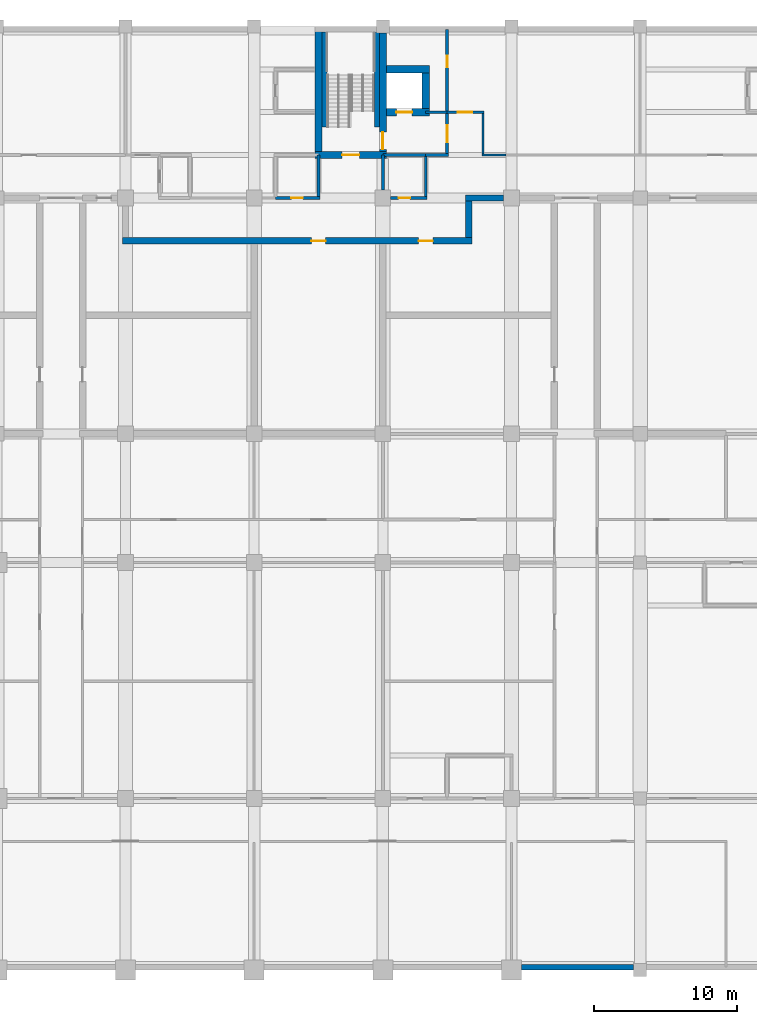
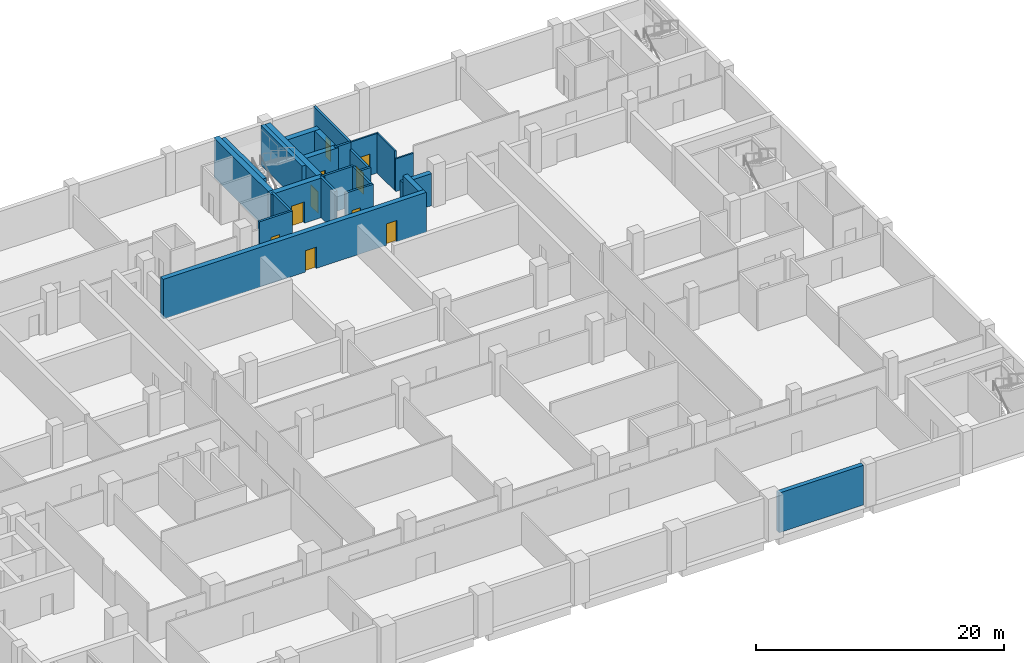
# One storey, part 9 of 16: 25 walls, 10 doors, 10 openings.
"""IFC4 building model written with IfcOpenShell, lengths in metres."""

from ifc_helpers import new_model, si_unit, direction, frame, frame_2d, origin, place, context, subcontext, project, spatial, rectangle, extrude, material, layer, layer_set, type_object, element, fill, save


model = new_model("IFC4")

# Units and contexts
model_context = context("Model", 3, precision=1e-05, world=origin(), true_north=direction((0.0, 1.0)))
body_context = subcontext(model_context, "Body", "Model", "MODEL_VIEW")
ifc_project = project(units=[si_unit("LENGTHUNIT", "METRE"), si_unit("AREAUNIT", "SQUARE_METRE"), si_unit("VOLUMEUNIT", "CUBIC_METRE"), si_unit("PLANEANGLEUNIT", "RADIAN"), si_unit("MASSUNIT", "GRAM", prefix="KILO")], contexts=[model_context])

# Site, building, storey
site_placement = place(None, origin())
site = spatial("IfcSite", under=ifc_project, at=site_placement, CompositionType="ELEMENT")
building_placement = place(site_placement, origin())
building = spatial("IfcBuilding", under=site, at=building_placement, Name="Aurelan Courthouse", CompositionType="ELEMENT")
storey_placement = place(building_placement, frame((0.0, 0.0, -4.199951171875)))
storey = spatial("IfcBuildingStorey", under=building, at=storey_placement, Name="B1", CompositionType="ELEMENT", Elevation=-4.199951171875)

# Wall, openings, doors
ifc_material_1 = material(Name="Reinforced concrete block", Category="concrete")
ifc_layer_1 = layer(ifc_material_1, 0.449951171875)
ifc_layer_set_1 = layer_set([ifc_layer_1], Name="Reinforced concrete block")
wall_type_1 = type_object("IfcWallType", Name="Archive fire wall 450 EI 60", PredefinedType="PARTITIONING", material=ifc_layer_set_1)
wall_1_placement = place(storey_placement, frame((35.77490234375, 51.0, 0.0), z_axis=(0.0, 0.0, 1.0), x_axis=(1.0, 0.0, 0.0)))
wall_1 = element("IfcWall", 1, at=wall_1_placement, inside=storey, type_object=wall_type_1, Name="Archive fire wall B1-057", PredefinedType="PARTITIONING", context=body_context, shape_type="SweptSolid", body=[
    extrude(rectangle(XDim=24.4501953125, YDim=0.449951171875, at=frame_2d((12.22509765625, 0.0))), origin(), (0.0, 0.0, 1.0), 3.89990234375),
])
opening_1_placement = place(wall_1_placement, frame((14.22509765625, 0.0, 0.0), z_axis=(0.0, 0.0, 1.0), x_axis=(-1.0, 0.0, 0.0)))
opening_1 = element("IfcOpeningElement", 2, at=opening_1_placement, cuts=wall_1, Name="Opening D-B1-036", PredefinedType="OPENING", context=body_context, shape_type="SweptSolid", body=[
    extrude(rectangle(XDim=1.0, YDim=2.10009765625, at=frame_2d((0.5, 1.050048828125))), frame((0.0, 0.23486328125, 0.0), z_axis=(0.0, -1.0, 0.0), x_axis=(1.0, 0.0, 0.0)), (0.0, 0.0, 1.0), 0.469970703125),
])
opening_2_placement = place(wall_1_placement, frame((21.72509765625, 0.0, 0.0), z_axis=(0.0, 0.0, 1.0), x_axis=(-1.0, 0.0, 0.0)))
opening_2 = element("IfcOpeningElement", 3, at=opening_2_placement, cuts=wall_1, Name="Opening D-B1-038", PredefinedType="OPENING", context=body_context, shape_type="SweptSolid", body=[
    extrude(rectangle(XDim=1.0, YDim=2.10009765625, at=frame_2d((0.5, 1.050048828125))), frame((0.0, 0.23486328125, 0.0), z_axis=(0.0, -1.0, 0.0), x_axis=(1.0, 0.0, 0.0)), (0.0, 0.0, 1.0), 0.469970703125),
])
ifc_material_2 = material(Name="Steel", Category="steel")
door_type_1 = type_object("IfcDoorType", Name="Single door 1000 x 2100 FD60", OperationType="SINGLE_SWING_LEFT", PredefinedType="DOOR", material=ifc_material_2)
door_1_placement = place(opening_1_placement, origin())
door_1 = element("IfcDoor", 4, at=door_1_placement, inside=storey, type_object=door_type_1, Name="Single door D-B1-036", OperationType="SINGLE_SWING_RIGHT", OverallHeight=2.10009765625, OverallWidth=1.0, PredefinedType="DOOR", context=body_context, shape_type="SweptSolid", body=[
    extrude(rectangle(XDim=1.0, YDim=2.10009765625, at=frame_2d((0.5, 1.050048828125))), frame((0.0, 0.02490234375, 0.0), z_axis=(0.0, -1.0, 0.0), x_axis=(1.0, 0.0, 0.0)), (0.0, 0.0, 1.0), 0.050048828125),
])
fill(opening_1, door_1)
door_2_placement = place(opening_2_placement, origin())
door_2 = element("IfcDoor", 5, at=door_2_placement, inside=storey, type_object=door_type_1, Name="Single door D-B1-038", OperationType="SINGLE_SWING_RIGHT", OverallHeight=2.10009765625, OverallWidth=1.0, PredefinedType="DOOR", context=body_context, shape_type="SweptSolid", body=[
    extrude(rectangle(XDim=1.0, YDim=2.10009765625, at=frame_2d((0.5, 1.050048828125))), frame((0.0, 0.02490234375, 0.0), z_axis=(0.0, -1.0, 0.0), x_axis=(1.0, 0.0, 0.0)), (0.0, 0.0, 1.0), 0.050048828125),
])
fill(opening_2, door_2)

# Walls
wall_2_placement = place(storey_placement, frame((59.77490234375, 54.0, 0.0), z_axis=(0.0, 0.0, 1.0), x_axis=(1.0, 0.0, 0.0)))
element("IfcWall", 6, at=wall_2_placement, inside=storey, type_object=wall_type_1, Name="Archive fire wall B1-069", PredefinedType="PARTITIONING", context=body_context, shape_type="SweptSolid", body=[
    extrude(rectangle(XDim=2.675048828125, YDim=0.449951171875, at=frame_2d((1.33740234375, 0.0))), origin(), (0.0, 0.0, 1.0), 3.14990234375),
])
wall_3_placement = place(storey_placement, frame((60.0, 51.22509765625, 0.0), z_axis=(0.0, 0.0, 1.0), x_axis=(0.0, 1.0, 0.0)))
element("IfcWall", 7, at=wall_3_placement, inside=storey, type_object=wall_type_1, Name="Archive fire wall B1-133", PredefinedType="PARTITIONING", context=body_context, shape_type="SweptSolid", body=[
    extrude(rectangle(XDim=2.5498046875, YDim=0.449951171875, at=frame_2d((1.27490234375, 0.0))), origin(), (0.0, 0.0, 1.0), 3.89990234375),
])
ifc_material_3 = material(Name="Gypsum board on metal studs")
ifc_layer_2 = layer(ifc_material_3, 0.14990234375)
ifc_layer_set_2 = layer_set([ifc_layer_2], Name="Gypsum board on metal studs")
wall_type_2 = type_object("IfcWallType", Name="Corridor partition 150 EI 60", PredefinedType="PARTITIONING", material=ifc_layer_set_2)
wall_4_placement = place(storey_placement, frame((60.925048828125, 57.0, 0.0), z_axis=(0.0, 0.0, 1.0), x_axis=(1.0, 0.0, 0.0)))
element("IfcWall", 8, at=wall_4_placement, inside=storey, type_object=wall_type_2, Name="Corridor partition B1-082", PredefinedType="PARTITIONING", context=body_context, shape_type="SweptSolid", body=[
    extrude(rectangle(XDim=1.675048828125, YDim=0.14990234375, at=frame_2d((0.83740234375, 0.0))), origin(), (0.0, 0.0, 1.0), 3.199951171875),
])

# Wall, opening, door
wall_5_placement = place(storey_placement, frame((58.5, 60.0, 0.0), z_axis=(0.0, 0.0, 1.0), x_axis=(1.0, 0.0, 0.0)))
wall_5 = element("IfcWall", 9, at=wall_5_placement, inside=storey, type_object=wall_type_2, Name="Corridor partition B1-088", PredefinedType="PARTITIONING", context=body_context, shape_type="SweptSolid", body=[
    extrude(rectangle(XDim=2.574951171875, YDim=0.14990234375, at=frame_2d((1.28759765625, 0.0))), origin(), (0.0, 0.0, 1.0), 3.89990234375),
])
opening_3_placement = place(wall_5_placement, frame((0.75, 0.0, 0.0)))
opening_3 = element("IfcOpeningElement", 10, at=opening_3_placement, cuts=wall_5, Name="Opening D-B1-029", PredefinedType="OPENING", context=body_context, shape_type="SweptSolid", body=[
    extrude(rectangle(XDim=1.0, YDim=2.10009765625, at=frame_2d((0.5, 1.050048828125))), frame((0.0, 0.0849609375, 0.0), z_axis=(0.0, -1.0, 0.0), x_axis=(1.0, 0.0, 0.0)), (0.0, 0.0, 1.0), 0.169921875),
])
door_3_placement = place(opening_3_placement, origin())
door_3 = element("IfcDoor", 11, at=door_3_placement, inside=storey, type_object=door_type_1, Name="Single door D-B1-029", OperationType="SINGLE_SWING_LEFT", OverallHeight=2.10009765625, OverallWidth=1.0, PredefinedType="DOOR", context=body_context, shape_type="SweptSolid", body=[
    extrude(rectangle(XDim=1.0, YDim=2.10009765625, at=frame_2d((0.5, 1.050048828125))), frame((0.0, 0.02490234375, 0.0), z_axis=(0.0, -1.0, 0.0), x_axis=(1.0, 0.0, 0.0)), (0.0, 0.0, 1.0), 0.050048828125),
])
fill(opening_3, door_3)

# Walls
wall_6_placement = place(storey_placement, frame((61.0, 57.074951171875, 0.0), z_axis=(0.0, 0.0, 1.0), x_axis=(0.0, 1.0, 0.0)))
element("IfcWall", 12, at=wall_6_placement, inside=storey, type_object=wall_type_2, Name="Corridor partition B1-134", PredefinedType="PARTITIONING", context=body_context, shape_type="SweptSolid", body=[
    extrude(rectangle(XDim=2.85009765625, YDim=0.14990234375, at=frame_2d((1.425048828125, 0.0))), origin(), (0.0, 0.0, 1.0), 3.89990234375),
])
ifc_material_4 = material(Name="Masonry block", Category="masonry")
ifc_layer_3 = layer(ifc_material_4, 0.199951171875)
ifc_layer_set_3 = layer_set([ifc_layer_3], Name="Masonry block")
wall_type_3 = type_object("IfcWallType", Name="Lift lobby wall 200 EI 60", PredefinedType="PARTITIONING", material=ifc_layer_set_3)
wall_7_placement = place(storey_placement, frame((57.0, 57.0, 0.0), z_axis=(0.0, 0.0, 1.0), x_axis=(1.0, 0.0, 0.0)))
element("IfcWall", 13, at=wall_7_placement, inside=storey, type_object=wall_type_3, Name="Lift lobby wall B1-081", PredefinedType="PARTITIONING", context=body_context, shape_type="SweptSolid", body=[
    extrude(rectangle(XDim=1.60009765625, YDim=0.199951171875, at=frame_2d((0.800048828125, 0.0))), origin(), (0.0, 0.0, 1.0), 3.199951171875),
])

# Wall, opening, door
wall_8_placement = place(storey_placement, frame((58.5, 57.10009765625, 0.0), z_axis=(0.0, 0.0, 1.0), x_axis=(0.0, 1.0, 0.0)))
wall_8 = element("IfcWall", 14, at=wall_8_placement, inside=storey, type_object=wall_type_3, Name="Lift lobby wall B1-131", PredefinedType="PARTITIONING", context=body_context, shape_type="SweptSolid", body=[
    extrude(rectangle(XDim=2.89990234375, YDim=0.199951171875, at=frame_2d((1.449951171875, 0.0))), origin(), (0.0, 0.0, 1.0), 3.199951171875),
])
opening_4_placement = place(wall_8_placement, frame((2.0, 0.0, 0.0), z_axis=(0.0, 0.0, 1.0), x_axis=(-1.0, 0.0, 0.0)))
opening_4 = element("IfcOpeningElement", 15, at=opening_4_placement, cuts=wall_8, Name="Opening D-B1-075", PredefinedType="OPENING", context=body_context, shape_type="SweptSolid", body=[
    extrude(rectangle(XDim=1.199951171875, YDim=2.10009765625, at=frame_2d((0.60009765625, 1.050048828125))), frame((0.0, 0.10986328125, 0.0), z_axis=(0.0, -1.0, 0.0), x_axis=(1.0, 0.0, 0.0)), (0.0, 0.0, 1.0), 0.219970703125),
])
door_type_2 = type_object("IfcDoorType", Name="Single door 1200 x 2100 FD60", OperationType="SINGLE_SWING_LEFT", PredefinedType="DOOR", material=ifc_material_2)
door_4_placement = place(opening_4_placement, origin())
door_4 = element("IfcDoor", 16, at=door_4_placement, inside=storey, type_object=door_type_2, Name="Single door D-B1-075", OperationType="SINGLE_SWING_LEFT", OverallHeight=2.10009765625, OverallWidth=1.199951171875, PredefinedType="DOOR", context=body_context, shape_type="SweptSolid", body=[
    extrude(rectangle(XDim=1.199951171875, YDim=2.10009765625, at=frame_2d((0.60009765625, 1.050048828125))), frame((0.0, 0.02490234375, 0.0), z_axis=(0.0, -1.0, 0.0), x_axis=(1.0, 0.0, 0.0)), (0.0, 0.0, 1.0), 0.050048828125),
])
fill(opening_4, door_4)

# Wall
ifc_material_5 = material(Name="Concrete C50", Category="concrete")
ifc_layer_4 = layer(ifc_material_5, 0.39990234375)
ifc_layer_set_4 = layer_set([ifc_layer_4], Name="Concrete C50")
wall_type_4 = type_object("IfcWallType", Name="RC retaining wall 400", PredefinedType="SOLIDWALL", material=ifc_layer_set_4)
wall_9_placement = place(storey_placement, frame((63.699951171875, 0.199951171875, 0.0), z_axis=(0.0, 0.0, 1.0), x_axis=(1.0, 0.0, 0.0)))
element("IfcWall", 17, at=wall_9_placement, inside=storey, type_object=wall_type_4, Name="Retaining wall SW-B1-008", PredefinedType="SOLIDWALL", context=body_context, shape_type="SweptSolid", body=[
    extrude(rectangle(XDim=7.85009765625, YDim=0.39990234375, at=frame_2d((3.925048828125, 0.0))), origin(), (0.0, 0.0, 1.0), 3.89990234375),
])

# Wall, opening, door
ifc_layer_5 = layer(ifc_material_5, 0.5)
ifc_layer_set_5 = layer_set([ifc_layer_5], Name="Concrete C50")
wall_type_5 = type_object("IfcWallType", Name="RC shear wall 500", PredefinedType="SHEAR", material=ifc_layer_set_5)
wall_10_placement = place(storey_placement, frame((49.25, 57.0, 0.0), z_axis=(0.0, 0.0, 1.0), x_axis=(1.0, 0.0, 0.0)))
wall_10 = element("IfcWall", 18, at=wall_10_placement, inside=storey, type_object=wall_type_5, Name="Core wall SW-B1-036", PredefinedType="SHEAR", context=body_context, shape_type="SweptSolid", body=[
    extrude(rectangle(XDim=5.0, YDim=0.5, at=frame_2d((2.5, 0.0))), origin(), (0.0, 0.0, 1.0), 3.89990234375),
])
opening_5_placement = place(wall_10_placement, frame((1.89990234375, 0.0, 0.0)))
opening_5 = element("IfcOpeningElement", 19, at=opening_5_placement, cuts=wall_10, Name="Opening D-B1-070", PredefinedType="OPENING", context=body_context, shape_type="SweptSolid", body=[
    extrude(rectangle(XDim=1.199951171875, YDim=2.10009765625, at=frame_2d((0.60009765625, 1.050048828125))), frame((0.0, 0.260009765625, 0.0), z_axis=(0.0, -1.0, 0.0), x_axis=(1.0, 0.0, 0.0)), (0.0, 0.0, 1.0), 0.52001953125),
])
door_type_3 = type_object("IfcDoorType", Name="Single door 1200 x 2100 FD90", OperationType="SINGLE_SWING_LEFT", PredefinedType="DOOR", material=ifc_material_2)
door_5_placement = place(opening_5_placement, origin())
door_5 = element("IfcDoor", 20, at=door_5_placement, inside=storey, type_object=door_type_3, Name="Single door D-B1-070", OperationType="SINGLE_SWING_LEFT", OverallHeight=2.10009765625, OverallWidth=1.199951171875, PredefinedType="DOOR", context=body_context, shape_type="SweptSolid", body=[
    extrude(rectangle(XDim=1.199951171875, YDim=2.10009765625, at=frame_2d((0.60009765625, 1.050048828125))), frame((0.0, 0.02490234375, 0.0), z_axis=(0.0, -1.0, 0.0), x_axis=(1.0, 0.0, 0.0)), (0.0, 0.0, 1.0), 0.050048828125),
])
fill(opening_5, door_5)

# Wall
wall_11_placement = place(storey_placement, frame((49.5, 57.25, 0.0), z_axis=(0.0, 0.0, 1.0), x_axis=(0.0, 1.0, 0.0)))
element("IfcWall", 21, at=wall_11_placement, inside=storey, type_object=wall_type_5, Name="Core wall SW-B1-040", PredefinedType="SHEAR", context=body_context, shape_type="SweptSolid", body=[
    extrude(rectangle(XDim=8.75, YDim=0.5, at=frame_2d((4.375, 0.0))), origin(), (0.0, 0.0, 1.0), 3.89990234375),
])

# Wall, opening, door
wall_12_placement = place(storey_placement, frame((54.0, 57.25, 0.0), z_axis=(0.0, 0.0, 1.0), x_axis=(0.0, 1.0, 0.0)))
wall_12 = element("IfcWall", 22, at=wall_12_placement, inside=storey, type_object=wall_type_5, Name="Core wall SW-B1-041", PredefinedType="SHEAR", context=body_context, shape_type="SweptSolid", body=[
    extrude(rectangle(XDim=8.300048828125, YDim=0.5, at=frame_2d((4.14990234375, 0.0))), origin(), (0.0, 0.0, 1.0), 3.89990234375),
])
opening_6_placement = place(wall_12_placement, frame((0.14990234375, 0.0, 0.0)))
opening_6 = element("IfcOpeningElement", 23, at=opening_6_placement, cuts=wall_12, Name="Opening D-B1-076", PredefinedType="OPENING", context=body_context, shape_type="SweptSolid", body=[
    extrude(rectangle(XDim=1.199951171875, YDim=2.10009765625, at=frame_2d((0.60009765625, 1.050048828125))), frame((0.0, 0.260009765625, 0.0), z_axis=(0.0, -1.0, 0.0), x_axis=(1.0, 0.0, 0.0)), (0.0, 0.0, 1.0), 0.52001953125),
])
door_6_placement = place(opening_6_placement, origin())
door_6 = element("IfcDoor", 24, at=door_6_placement, inside=storey, type_object=door_type_3, Name="Single door D-B1-076", OperationType="SINGLE_SWING_LEFT", OverallHeight=2.10009765625, OverallWidth=1.199951171875, PredefinedType="DOOR", context=body_context, shape_type="SweptSolid", body=[
    extrude(rectangle(XDim=1.199951171875, YDim=2.10009765625, at=frame_2d((0.60009765625, 1.050048828125))), frame((0.0, 0.02490234375, 0.0), z_axis=(0.0, -1.0, 0.0), x_axis=(1.0, 0.0, 0.0)), (0.0, 0.0, 1.0), 0.050048828125),
])
fill(opening_6, door_6)

wall_13_placement = place(storey_placement, frame((54.25, 60.0, 0.0), z_axis=(0.0, 0.0, 1.0), x_axis=(1.0, 0.0, 0.0)))
wall_13 = element("IfcWall", 25, at=wall_13_placement, inside=storey, type_object=wall_type_5, Name="Core wall SW-B1-043", PredefinedType="SHEAR", context=body_context, shape_type="SweptSolid", body=[
    extrude(rectangle(XDim=3.0, YDim=0.5, at=frame_2d((1.5, 0.0))), origin(), (0.0, 0.0, 1.0), 3.89990234375),
])
opening_7_placement = place(wall_13_placement, frame((0.699951171875, 0.0, 0.0)))
opening_7 = element("IfcOpeningElement", 26, at=opening_7_placement, cuts=wall_13, Name="Opening LD-V2-F1-B1", PredefinedType="OPENING", context=body_context, shape_type="SweptSolid", body=[
    extrude(rectangle(XDim=1.10009765625, YDim=2.10009765625, at=frame_2d((0.550048828125, 1.050048828125))), frame((0.0, 0.260009765625, 0.0), z_axis=(0.0, -1.0, 0.0), x_axis=(1.0, 0.0, 0.0)), (0.0, 0.0, 1.0), 0.52001953125),
])
door_type_4 = type_object("IfcDoorType", Name="Lift landing door 1100 x 2100 FD90", OperationType="SLIDING_TO_LEFT", PredefinedType="DOOR", material=ifc_material_2)
door_7_placement = place(opening_7_placement, origin())
door_7 = element("IfcDoor", 27, at=door_7_placement, inside=storey, type_object=door_type_4, Name="Lift landing door LD-V2-F1-B1", OperationType="SLIDING_TO_LEFT", OverallHeight=2.10009765625, OverallWidth=1.10009765625, PredefinedType="DOOR", context=body_context, shape_type="SweptSolid", body=[
    extrude(rectangle(XDim=1.10009765625, YDim=2.10009765625, at=frame_2d((0.550048828125, 1.050048828125))), frame((0.0, 0.02490234375, 0.0), z_axis=(0.0, -1.0, 0.0), x_axis=(1.0, 0.0, 0.0)), (0.0, 0.0, 1.0), 0.050048828125),
])
fill(opening_7, door_7)

# Walls
wall_14_placement = place(storey_placement, frame((57.0, 60.25, 0.0), z_axis=(0.0, 0.0, 1.0), x_axis=(0.0, 1.0, 0.0)))
element("IfcWall", 28, at=wall_14_placement, inside=storey, type_object=wall_type_5, Name="Core wall SW-B1-044", PredefinedType="SHEAR", context=body_context, shape_type="SweptSolid", body=[
    extrude(rectangle(XDim=2.5, YDim=0.5, at=frame_2d((1.25, 0.0))), origin(), (0.0, 0.0, 1.0), 3.89990234375),
])
wall_15_placement = place(storey_placement, frame((54.25, 63.0, 0.0), z_axis=(0.0, 0.0, 1.0), x_axis=(1.0, 0.0, 0.0)))
element("IfcWall", 29, at=wall_15_placement, inside=storey, type_object=wall_type_5, Name="Core wall SW-B1-045", PredefinedType="SHEAR", context=body_context, shape_type="SweptSolid", body=[
    extrude(rectangle(XDim=3.0, YDim=0.5, at=frame_2d((1.5, 0.0))), origin(), (0.0, 0.0, 1.0), 3.89990234375),
])

# Wall, opening, door
ifc_material_6 = material(Name="Concrete C30", Category="concrete")
ifc_layer_6 = layer(ifc_material_6, 0.199951171875)
ifc_layer_set_6 = layer_set([ifc_layer_6], Name="Concrete C30")
wall_type_6 = type_object("IfcWallType", Name="Shaft wall 200 EI 120 load-bearing", PredefinedType="SHEAR", material=ifc_layer_set_6)
wall_16_placement = place(storey_placement, frame((46.5, 54.0, 0.0), z_axis=(0.0, 0.0, 1.0), x_axis=(1.0, 0.0, 0.0)))
wall_16 = element("IfcWall", 30, at=wall_16_placement, inside=storey, type_object=wall_type_6, Name="Shaft wall B1-067", PredefinedType="SHEAR", context=body_context, shape_type="SweptSolid", body=[
    extrude(rectangle(XDim=3.10009765625, YDim=0.199951171875, at=frame_2d((1.550048828125, 0.0))), origin(), (0.0, 0.0, 1.0), 3.89990234375),
])
opening_8_placement = place(wall_16_placement, frame((1.10009765625, 0.0, 0.0)))
opening_8 = element("IfcOpeningElement", 31, at=opening_8_placement, cuts=wall_16, Name="Opening D-B1-060", PredefinedType="OPENING", context=body_context, shape_type="SweptSolid", body=[
    extrude(rectangle(XDim=0.800048828125, YDim=2.0, at=frame_2d((0.39990234375, 1.0))), frame((0.0, 0.10986328125, 0.0), z_axis=(0.0, -1.0, 0.0), x_axis=(1.0, 0.0, 0.0)), (0.0, 0.0, 1.0), 0.219970703125),
])
door_type_5 = type_object("IfcDoorType", Name="Single door 800 x 2000 FD90", OperationType="SINGLE_SWING_LEFT", PredefinedType="DOOR", material=ifc_material_2)
door_8_placement = place(opening_8_placement, origin())
door_8 = element("IfcDoor", 32, at=door_8_placement, inside=storey, type_object=door_type_5, Name="Single door D-B1-060", OperationType="SINGLE_SWING_LEFT", OverallHeight=2.0, OverallWidth=0.800048828125, PredefinedType="DOOR", context=body_context, shape_type="SweptSolid", body=[
    extrude(rectangle(XDim=0.800048828125, YDim=2.0, at=frame_2d((0.39990234375, 1.0))), frame((0.0, 0.02490234375, 0.0), z_axis=(0.0, -1.0, 0.0), x_axis=(1.0, 0.0, 0.0)), (0.0, 0.0, 1.0), 0.050048828125),
])
fill(opening_8, door_8)

wall_17_placement = place(storey_placement, frame((54.550048828125, 54.0, 0.0), z_axis=(0.0, 0.0, 1.0), x_axis=(1.0, 0.0, 0.0)))
wall_17 = element("IfcWall", 33, at=wall_17_placement, inside=storey, type_object=wall_type_6, Name="Shaft wall B1-068", PredefinedType="SHEAR", context=body_context, shape_type="SweptSolid", body=[
    extrude(rectangle(XDim=2.550048828125, YDim=0.199951171875, at=frame_2d((1.27490234375, 0.0))), origin(), (0.0, 0.0, 1.0), 3.89990234375),
])
opening_9_placement = place(wall_17_placement, frame((0.550048828125, 0.0, 0.0)))
opening_9 = element("IfcOpeningElement", 34, at=opening_9_placement, cuts=wall_17, Name="Opening D-B1-061", PredefinedType="OPENING", context=body_context, shape_type="SweptSolid", body=[
    extrude(rectangle(XDim=0.800048828125, YDim=2.0, at=frame_2d((0.39990234375, 1.0))), frame((0.0, 0.10986328125, 0.0), z_axis=(0.0, -1.0, 0.0), x_axis=(1.0, 0.0, 0.0)), (0.0, 0.0, 1.0), 0.219970703125),
])
door_9_placement = place(opening_9_placement, origin())
door_9 = element("IfcDoor", 35, at=door_9_placement, inside=storey, type_object=door_type_5, Name="Single door D-B1-061", OperationType="SINGLE_SWING_RIGHT", OverallHeight=2.0, OverallWidth=0.800048828125, PredefinedType="DOOR", context=body_context, shape_type="SweptSolid", body=[
    extrude(rectangle(XDim=0.800048828125, YDim=2.0, at=frame_2d((0.39990234375, 1.0))), frame((0.0, 0.02490234375, 0.0), z_axis=(0.0, -1.0, 0.0), x_axis=(1.0, 0.0, 0.0)), (0.0, 0.0, 1.0), 0.050048828125),
])
fill(opening_9, door_9)

# Walls
wall_18_placement = place(storey_placement, frame((54.0, 57.0, 0.0), z_axis=(0.0, 0.0, 1.0), x_axis=(1.0, 0.0, 0.0)))
element("IfcWall", 36, at=wall_18_placement, inside=storey, type_object=wall_type_6, Name="Shaft wall B1-080", PredefinedType="SHEAR", context=body_context, shape_type="SweptSolid", body=[
    extrude(rectangle(XDim=3.0, YDim=0.199951171875, at=frame_2d((1.5, 0.0))), origin(), (0.0, 0.0, 1.0), 3.89990234375),
])
wall_19_placement = place(storey_placement, frame((57.0, 60.0, 0.0), z_axis=(0.0, 0.0, 1.0), x_axis=(1.0, 0.0, 0.0)))
element("IfcWall", 37, at=wall_19_placement, inside=storey, type_object=wall_type_6, Name="Shaft wall B1-087", PredefinedType="SHEAR", context=body_context, shape_type="SweptSolid", body=[
    extrude(rectangle(XDim=1.5, YDim=0.199951171875, at=frame_2d((0.75, 0.0))), origin(), (0.0, 0.0, 1.0), 3.89990234375),
])
wall_20_placement = place(storey_placement, frame((49.5, 54.10009765625, 0.0), z_axis=(0.0, 0.0, 1.0), x_axis=(0.0, 1.0, 0.0)))
element("IfcWall", 38, at=wall_20_placement, inside=storey, type_object=wall_type_6, Name="Shaft wall B1-124", PredefinedType="SHEAR", context=body_context, shape_type="SweptSolid", body=[
    extrude(rectangle(XDim=2.89990234375, YDim=0.199951171875, at=frame_2d((1.449951171875, 0.0))), origin(), (0.0, 0.0, 1.0), 3.89990234375),
])
wall_21_placement = place(storey_placement, frame((54.0, 54.550048828125, 0.0), z_axis=(0.0, 0.0, 1.0), x_axis=(0.0, 1.0, 0.0)))
element("IfcWall", 39, at=wall_21_placement, inside=storey, type_object=wall_type_6, Name="Shaft wall B1-128", PredefinedType="SHEAR", context=body_context, shape_type="SweptSolid", body=[
    extrude(rectangle(XDim=2.449951171875, YDim=0.199951171875, at=frame_2d((1.22509765625, 0.0))), origin(), (0.0, 0.0, 1.0), 3.89990234375),
])
wall_22_placement = place(storey_placement, frame((57.0, 54.10009765625, 0.0), z_axis=(0.0, 0.0, 1.0), x_axis=(0.0, 1.0, 0.0)))
element("IfcWall", 40, at=wall_22_placement, inside=storey, type_object=wall_type_6, Name="Shaft wall B1-129", PredefinedType="SHEAR", context=body_context, shape_type="SweptSolid", body=[
    extrude(rectangle(XDim=2.7998046875, YDim=0.199951171875, at=frame_2d((1.39990234375, 0.0))), origin(), (0.0, 0.0, 1.0), 3.89990234375),
])

# Wall, opening, door
wall_23_placement = place(storey_placement, frame((58.5, 60.0, 0.0), z_axis=(0.0, 0.0, 1.0), x_axis=(0.0, 1.0, 0.0)))
wall_23 = element("IfcWall", 41, at=wall_23_placement, inside=storey, type_object=wall_type_6, Name="Shaft wall B1-132", PredefinedType="SHEAR", context=body_context, shape_type="SweptSolid", body=[
    extrude(rectangle(XDim=5.800048828125, YDim=0.199951171875, at=frame_2d((2.89990234375, 0.0))), origin(), (0.0, 0.0, 1.0), 3.89990234375),
])
opening_10_placement = place(wall_23_placement, frame((3.949951171875, 0.0, 0.0), z_axis=(0.0, 0.0, 1.0), x_axis=(-1.0, 0.0, 0.0)))
opening_10 = element("IfcOpeningElement", 42, at=opening_10_placement, cuts=wall_23, Name="Opening D-B1-056", PredefinedType="OPENING", context=body_context, shape_type="SweptSolid", body=[
    extrude(rectangle(XDim=0.800048828125, YDim=2.0, at=frame_2d((0.39990234375, 1.0))), frame((0.0, 0.10986328125, 0.0), z_axis=(0.0, -1.0, 0.0), x_axis=(1.0, 0.0, 0.0)), (0.0, 0.0, 1.0), 0.219970703125),
])
door_10_placement = place(opening_10_placement, origin())
door_10 = element("IfcDoor", 43, at=door_10_placement, inside=storey, type_object=door_type_5, Name="Single door D-B1-056", OperationType="SINGLE_SWING_LEFT", OverallHeight=2.0, OverallWidth=0.800048828125, PredefinedType="DOOR", context=body_context, shape_type="SweptSolid", body=[
    extrude(rectangle(XDim=0.800048828125, YDim=2.0, at=frame_2d((0.39990234375, 1.0))), frame((0.0, 0.02490234375, 0.0), z_axis=(0.0, -1.0, 0.0), x_axis=(1.0, 0.0, 0.0)), (0.0, 0.0, 1.0), 0.050048828125),
])
fill(opening_10, door_10)

# Walls
ifc_layer_7 = layer(ifc_material_6, 0.35009765625)
ifc_layer_set_7 = layer_set([ifc_layer_7], Name="Concrete C30")
wall_type_7 = type_object("IfcWallType", Name="Stair well wall 350 EI 120 load-bearing", PredefinedType="SHEAR", material=ifc_layer_set_7)
for number, where, z_axis, x_axis, name in (
    (44, (49.925048828125, 58.9599609375, 0.0), (0.0, 0.0, 1.0), (0.0, 1.0, 0.0), "Stair well wall ST-2A-B1 A"),
    (45, (53.574951171875, 58.9599609375, 0.0), (0.0, 0.0, 1.0), (0.0, 1.0, 0.0), "Stair well wall ST-2A-B1 B"),
):
    element("IfcWall", number, at=place(storey_placement, frame(where, z_axis=z_axis, x_axis=x_axis)), inside=storey, type_object=wall_type_7, Name=name, PredefinedType="SHEAR", context=body_context, shape_type="SweptSolid", body=[
        extrude(rectangle(XDim=6.64013671875, YDim=0.35009765625, at=frame_2d((3.320068359375, 0.0))), origin(), (0.0, 0.0, 1.0), 3.89990234375),
    ])

save(model, "model.ifc")
